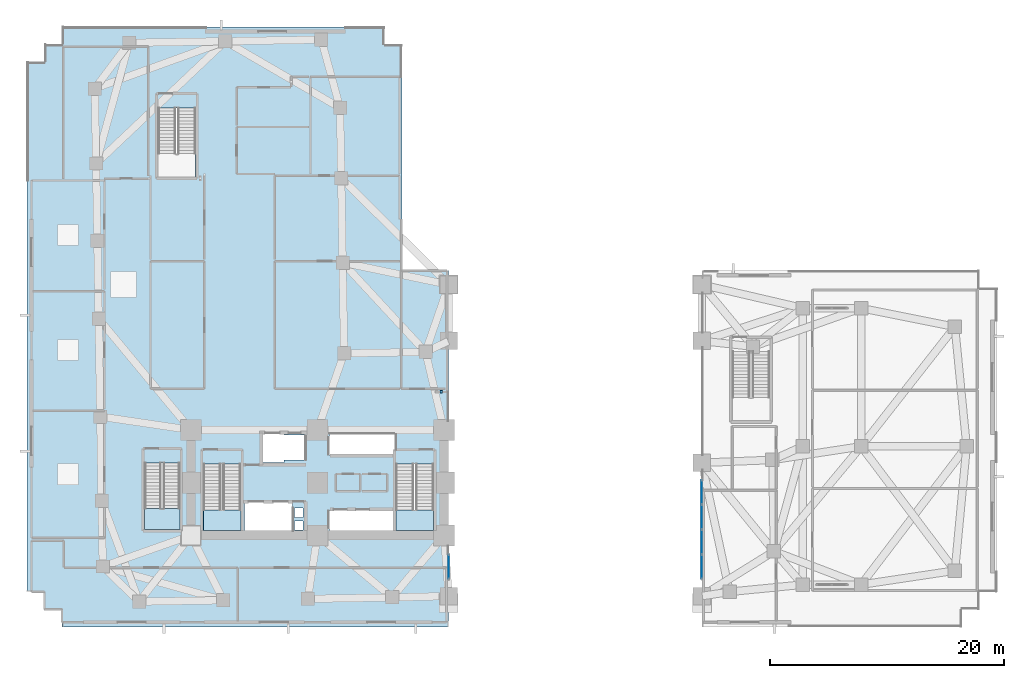
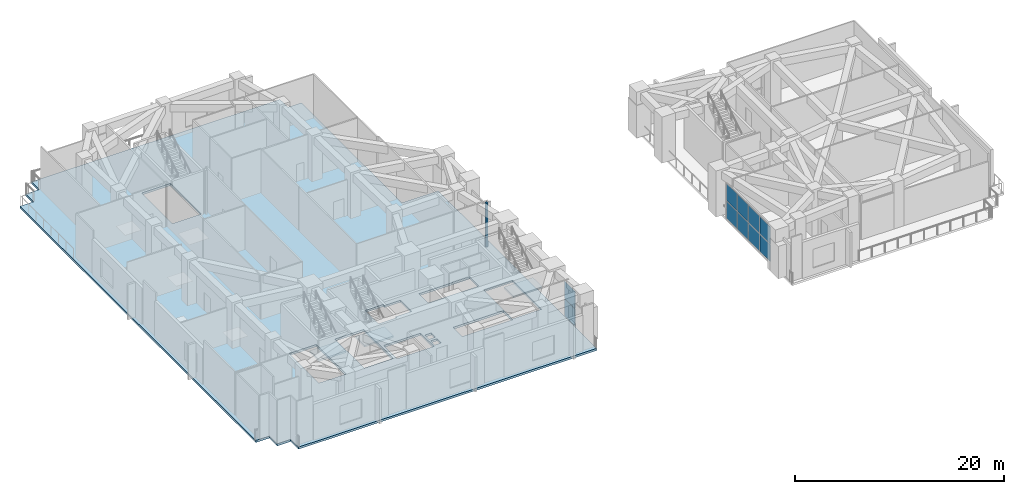
# One storey, part 5 of 18: 11 plates, 4 slabs, 5 elements without a shape of their own.
"""IFC4 building model written with IfcOpenShell, lengths in metres."""

from ifc_helpers import new_model, si_unit, direction, frame, origin, origin_2d, place, context, subcontext, project, spatial, polyline, rectangle, outline, extrude, material, layer, layer_set, type_object, element, aggregate, save


model = new_model("IFC4")

# Units and contexts
model_context = context("Model", 3, precision=1e-05, world=origin(), true_north=direction((0.0, 1.0)))
body_context = subcontext(model_context, "Body", "Model", "MODEL_VIEW")
ifc_project = project(units=[si_unit("LENGTHUNIT", "METRE"), si_unit("AREAUNIT", "SQUARE_METRE"), si_unit("VOLUMEUNIT", "CUBIC_METRE"), si_unit("PLANEANGLEUNIT", "RADIAN"), si_unit("MASSUNIT", "GRAM", prefix="KILO")], contexts=[model_context])

# Site, building, storey
site_placement = place(None, origin())
site = spatial("IfcSite", under=ifc_project, at=site_placement, CompositionType="ELEMENT")
building_placement = place(site_placement, origin())
building = spatial("IfcBuilding", under=site, at=building_placement, Name="Gaonmaruhae Medical Tower", CompositionType="ELEMENT")
storey_placement = place(building_placement, frame((0.0, 0.0, 10.800048828125)))
storey = spatial("IfcBuildingStorey", under=building, at=storey_placement, Name="L02", CompositionType="ELEMENT", Elevation=10.800048828125)

# Curtain wall, plates
ifc_material_1 = material(Name="Anodised aluminium and Low-E double glazing", Category="aluminium")
curtain_wall_type = type_object("IfcCurtainWallType", Name="CW-S1 Portal Arch Concourse Curtain Wall", PredefinedType="NOTDEFINED", material=ifc_material_1)
curtain_wall_1_placement = place(storey_placement, origin())
curtain_wall_1 = element("IfcCurtainWall", 1, at=curtain_wall_1_placement, inside=storey, type_object=curtain_wall_type, Name="L02 Curtain Wall CW-L02-S1W", PredefinedType="NOTDEFINED")
ifc_material_2 = material(Name="Low-E double solar glass", Category="glass")
ifc_layer_1 = layer(ifc_material_2, 0.028076171875)
ifc_layer_set_1 = layer_set([ifc_layer_1], Name="Low-E double solar glass")
plate_type_1 = type_object("IfcPlateType", Name="CWP-V1 Low-E Double Vision Glazing Panel", PredefinedType="CURTAIN_PANEL", material=ifc_layer_set_1)
plate_1_placement = place(storey_placement, frame((36.0, 5.1318359375, 0.074951171875), z_axis=(0.0, 0.0, 1.0), x_axis=(0.0, 1.0, 0.0)))
plate_1 = element("IfcPlate", 2, at=plate_1_placement, type_object=plate_type_1, Name="CW-S1 panel 1.1", PredefinedType="CURTAIN_PANEL", context=body_context, shape_type="SweptSolid", body=[
    extrude(rectangle(XDim=2.020263671875, YDim=0.028076171875, at=origin_2d()), origin(), (0.0, 0.0, 1.0), 2.00244140625),
])
plate_2_placement = place(storey_placement, frame((36.0, 5.1318359375, 2.152587890625), z_axis=(0.0, 0.0, 1.0), x_axis=(0.0, 1.0, 0.0)))
plate_2 = element("IfcPlate", 3, at=plate_2_placement, type_object=plate_type_1, Name="CW-S1 panel 1.2", PredefinedType="CURTAIN_PANEL", context=body_context, shape_type="SweptSolid", body=[
    extrude(rectangle(XDim=2.020263671875, YDim=0.028076171875, at=origin_2d()), origin(), (0.0, 0.0, 1.0), 2.00244140625),
])
aggregate(curtain_wall_1, [plate_1, plate_2])

curtain_wall_2_placement = place(storey_placement, origin())
curtain_wall_2 = element("IfcCurtainWall", 4, at=curtain_wall_2_placement, inside=storey, type_object=curtain_wall_type, Name="L02 Curtain Wall CW-L02-S1E", PredefinedType="NOTDEFINED")
plate_3_placement = place(storey_placement, frame((57.60009765625, 5.132080078125, 0.074951171875), z_axis=(0.0, 0.0, 1.0), x_axis=(0.0, 1.0, 0.0)))
plate_3 = element("IfcPlate", 5, at=plate_3_placement, type_object=plate_type_1, Name="CW-S1 panel 1.1", PredefinedType="CURTAIN_PANEL", context=body_context, shape_type="SweptSolid", body=[
    extrude(rectangle(XDim=2.020751953125, YDim=0.028076171875, at=origin_2d()), origin(), (0.0, 0.0, 1.0), 2.00244140625),
])
plate_4_placement = place(storey_placement, frame((57.60009765625, 5.132080078125, 2.152587890625), z_axis=(0.0, 0.0, 1.0), x_axis=(0.0, 1.0, 0.0)))
plate_4 = element("IfcPlate", 6, at=plate_4_placement, type_object=plate_type_1, Name="CW-S1 panel 1.2", PredefinedType="CURTAIN_PANEL", context=body_context, shape_type="SweptSolid", body=[
    extrude(rectangle(XDim=2.020751953125, YDim=0.028076171875, at=origin_2d()), origin(), (0.0, 0.0, 1.0), 2.00244140625),
])
plate_5_placement = place(storey_placement, frame((57.60009765625, 7.246337890625, 0.074951171875), z_axis=(0.0, 0.0, 1.0), x_axis=(0.0, 1.0, 0.0)))
plate_5 = element("IfcPlate", 7, at=plate_5_placement, type_object=plate_type_1, Name="CW-S1 panel 2.1", PredefinedType="CURTAIN_PANEL", context=body_context, shape_type="SweptSolid", body=[
    extrude(rectangle(XDim=2.05810546875, YDim=0.028076171875, at=origin_2d()), origin(), (0.0, 0.0, 1.0), 2.00244140625),
])
plate_6_placement = place(storey_placement, frame((57.60009765625, 7.246337890625, 2.152587890625), z_axis=(0.0, 0.0, 1.0), x_axis=(0.0, 1.0, 0.0)))
plate_6 = element("IfcPlate", 8, at=plate_6_placement, type_object=plate_type_1, Name="CW-S1 panel 2.2", PredefinedType="CURTAIN_PANEL", context=body_context, shape_type="SweptSolid", body=[
    extrude(rectangle(XDim=2.05810546875, YDim=0.028076171875, at=origin_2d()), origin(), (0.0, 0.0, 1.0), 2.00244140625),
])
plate_7_placement = place(storey_placement, frame((57.60009765625, 9.379638671875, 0.074951171875), z_axis=(0.0, 0.0, 1.0), x_axis=(0.0, 1.0, 0.0)))
plate_7 = element("IfcPlate", 9, at=plate_7_placement, type_object=plate_type_1, Name="CW-S1 panel 3.1", PredefinedType="CURTAIN_PANEL", context=body_context, shape_type="SweptSolid", body=[
    extrude(rectangle(XDim=2.05810546875, YDim=0.028076171875, at=origin_2d()), origin(), (0.0, 0.0, 1.0), 2.00244140625),
])
plate_8_placement = place(storey_placement, frame((57.60009765625, 9.379638671875, 2.152587890625), z_axis=(0.0, 0.0, 1.0), x_axis=(0.0, 1.0, 0.0)))
plate_8 = element("IfcPlate", 10, at=plate_8_placement, type_object=plate_type_1, Name="CW-S1 panel 3.2", PredefinedType="CURTAIN_PANEL", context=body_context, shape_type="SweptSolid", body=[
    extrude(rectangle(XDim=2.05810546875, YDim=0.028076171875, at=origin_2d()), origin(), (0.0, 0.0, 1.0), 2.00244140625),
])
plate_9_placement = place(storey_placement, frame((57.60009765625, 11.493896484375, 0.074951171875), z_axis=(0.0, 0.0, 1.0), x_axis=(0.0, 1.0, 0.0)))
plate_9 = element("IfcPlate", 11, at=plate_9_placement, type_object=plate_type_1, Name="CW-S1 panel 4.1", PredefinedType="CURTAIN_PANEL", context=body_context, shape_type="SweptSolid", body=[
    extrude(rectangle(XDim=2.020751953125, YDim=0.028076171875, at=origin_2d()), origin(), (0.0, 0.0, 1.0), 2.00244140625),
])
plate_10_placement = place(storey_placement, frame((57.60009765625, 11.493896484375, 2.152587890625), z_axis=(0.0, 0.0, 1.0), x_axis=(0.0, 1.0, 0.0)))
plate_10 = element("IfcPlate", 12, at=plate_10_placement, type_object=plate_type_1, Name="CW-S1 panel 4.2", PredefinedType="CURTAIN_PANEL", context=body_context, shape_type="SweptSolid", body=[
    extrude(rectangle(XDim=2.020751953125, YDim=0.028076171875, at=origin_2d()), origin(), (0.0, 0.0, 1.0), 2.00244140625),
])
aggregate(curtain_wall_2, [plate_3, plate_4, plate_5, plate_6, plate_7, plate_8, plate_9, plate_10])

# Slab
ifc_material_3 = material(Name="Concrete C40/50", Category="concrete")
ifc_layer_2 = layer(ifc_material_3, 0.25)
ifc_layer_set_2 = layer_set([ifc_layer_2], Name="Concrete C40/50")
slab_type_1 = type_object("IfcSlabType", Name="FS-250 Podium & Basement Floor Slab", PredefinedType="FLOOR", material=ifc_layer_set_2)
slab_1_placement = place(storey_placement, frame((0.0, 0.0, -0.25)))
element("IfcSlab", 13, at=slab_1_placement, inside=storey, type_object=slab_type_1, Name="L02 Structural Slab 1", PredefinedType="FLOOR", context=body_context, shape_type="SweptSolid", body=[
    extrude(outline(polyline([(3.0, 0.0), (3.0, 1.5), (1.5, 1.5), (1.5, 3.0), (0.0, 3.0), (0.0, 48.199951171875), (1.5, 48.199951171875), (1.5, 49.699951171875), (3.0, 49.699951171875), (3.0, 51.199951171875), (30.5, 51.199951171875), (30.5, 49.699951171875), (32.0, 49.699951171875), (32.0, 30.39990234375), (36.0, 30.39990234375), (36.0, 0.0), (3.0, 0.0)]), holes=[polyline([(23.550048828125, 8.25), (22.85009765625, 8.25), (22.85009765625, 9.050048828125), (23.550048828125, 9.050048828125), (23.550048828125, 8.25)]), polyline([(22.64990234375, 10.625), (22.64990234375, 8.074951171875), (18.550048828125, 8.074951171875), (18.550048828125, 10.625), (22.64990234375, 10.625)]), polyline([(15.050048828125, 13.889892578125), (18.25, 13.889892578125), (18.25, 8.300048828125), (15.050048828125, 8.300048828125), (15.050048828125, 13.889892578125)]), polyline([(13.050048828125, 13.989990234375), (13.050048828125, 8.300048828125), (10.050048828125, 8.300048828125), (10.050048828125, 13.989990234375), (13.050048828125, 13.989990234375)]), polyline([(21.949951171875, 14.02490234375), (19.949951171875, 14.02490234375), (19.949951171875, 16.574951171875), (21.949951171875, 16.574951171875), (21.949951171875, 16.375), (23.72509765625, 16.375), (23.72509765625, 14.22509765625), (21.949951171875, 14.22509765625), (21.949951171875, 14.02490234375)]), polyline([(11.199951171875, 44.2900390625), (14.39990234375, 44.2900390625), (14.39990234375, 38.39990234375), (11.199951171875, 38.39990234375), (11.199951171875, 44.2900390625)]), polyline([(31.425048828125, 9.925048828125), (31.425048828125, 8.175048828125), (25.824951171875, 8.175048828125), (25.824951171875, 9.925048828125), (31.425048828125, 9.925048828125)]), polyline([(22.85009765625, 9.35009765625), (22.85009765625, 10.14990234375), (23.550048828125, 10.14990234375), (23.550048828125, 9.35009765625), (22.85009765625, 9.35009765625)]), polyline([(31.5, 13.889892578125), (34.699951171875, 13.889892578125), (34.699951171875, 8.300048828125), (31.5, 8.300048828125), (31.5, 13.889892578125)]), polyline([(31.425048828125, 16.425048828125), (31.425048828125, 14.675048828125), (25.824951171875, 14.675048828125), (25.824951171875, 16.425048828125), (31.425048828125, 16.425048828125)])]), origin(), (0.0, 0.0, 1.0), 0.25),
])

# Plate
ifc_material_4 = material(Name="Anodised aluminium 6063-T6", Category="aluminium")
ifc_layer_3 = layer(ifc_material_4, 0.011962890625)
ifc_layer_set_3 = layer_set([ifc_layer_3], Name="Anodised aluminium 6063-T6")
plate_type_2 = type_object("IfcPlateType", Name="PP-01 Interior Partition Corner Stiffener Plate", PredefinedType="SHEET", material=ifc_layer_set_3)
plate_11_placement = place(storey_placement, frame((35.35498046875, 20.050048828125, 0.0), z_axis=(0.0, 0.0, 1.0), x_axis=(-1.0, 0.0, 0.0)))
element("IfcPlate", 14, at=plate_11_placement, inside=storey, type_object=plate_type_2, Name="L02 Partition Corner Stiffener Plate PLT-L02-JGP-PW019", PredefinedType="SHEET", context=body_context, shape_type="SweptSolid", body=[
    extrude(rectangle(XDim=0.219970703125, YDim=0.219970703125, at=origin_2d()), origin(), (0.0, 0.0, 1.0), 5.14990234375),
])

# Stair, slab
stair_type_1 = type_object("IfcStairType", Name="ST-T1 Primary Core Escape Dogleg Stair", PredefinedType="TWO_QUARTER_TURN_STAIR", material=ifc_material_3)
stair_1_placement = place(storey_placement, origin())
stair_1 = element("IfcStair", 15, at=stair_1_placement, inside=storey, type_object=stair_type_1, Name="L02 Protected Escape Stair ST-01", PredefinedType="TWO_QUARTER_TURN_STAIR")
ifc_layer_4 = layer(ifc_material_3, 0.199951171875)
ifc_layer_set_4 = layer_set([ifc_layer_4], Name="Concrete C40/50")
slab_type_2 = type_object("IfcSlabType", Name="SL-200 Stair & Ramp Intermediate Concrete Landing", PredefinedType="LANDING", material=ifc_layer_set_4)
slab_2_placement = place(storey_placement, frame((0.0, 0.0, 2.5)))
slab_2 = element("IfcSlab", 16, at=slab_2_placement, type_object=slab_type_2, Name="ST-01 landing 1", PredefinedType="LANDING", context=body_context, shape_type="SweptSolid", body=[
    extrude(outline(polyline([(15.050048828125, 9.97998046875), (15.050048828125, 8.2041015625), (18.25, 8.2041015625), (18.25, 9.97998046875), (15.050048828125, 9.97998046875)])), origin(), (0.0, 0.0, 1.0), 0.199951171875),
])
aggregate(stair_1, [slab_2])

stair_2_placement = place(storey_placement, origin())
stair_2 = element("IfcStair", 17, at=stair_2_placement, inside=storey, type_object=stair_type_1, Name="L02 Protected Escape Stair ST-02", PredefinedType="TWO_QUARTER_TURN_STAIR")
slab_3_placement = place(storey_placement, frame((0.0, 0.0, 2.5)))
slab_3 = element("IfcSlab", 18, at=slab_3_placement, type_object=slab_type_2, Name="ST-02 landing 1", PredefinedType="LANDING", context=body_context, shape_type="SweptSolid", body=[
    extrude(outline(polyline([(31.5, 9.97998046875), (31.5, 8.2041015625), (34.699951171875, 8.2041015625), (34.699951171875, 9.97998046875), (31.5, 9.97998046875)])), origin(), (0.0, 0.0, 1.0), 0.199951171875),
])
aggregate(stair_2, [slab_3])

stair_type_2 = type_object("IfcStairType", Name="ST-T2 Zone 1 Escape Dogleg Stair", PredefinedType="TWO_QUARTER_TURN_STAIR", material=ifc_material_3)
stair_3_placement = place(storey_placement, origin())
stair_3 = element("IfcStair", 19, at=stair_3_placement, inside=storey, type_object=stair_type_2, Name="L02 Protected Escape Stair ST-03", PredefinedType="TWO_QUARTER_TURN_STAIR")
slab_4_placement = place(storey_placement, frame((0.0, 0.0, 2.5)))
slab_4 = element("IfcSlab", 20, at=slab_4_placement, type_object=slab_type_2, Name="ST-03 landing 1", PredefinedType="LANDING", context=body_context, shape_type="SweptSolid", body=[
    extrude(outline(polyline([(10.050048828125, 10.080078125), (10.050048828125, 8.300048828125), (13.050048828125, 8.300048828125), (13.050048828125, 10.080078125), (10.050048828125, 10.080078125)])), origin(), (0.0, 0.0, 1.0), 0.199951171875),
])
aggregate(stair_3, [slab_4])

save(model, "model.ifc")
